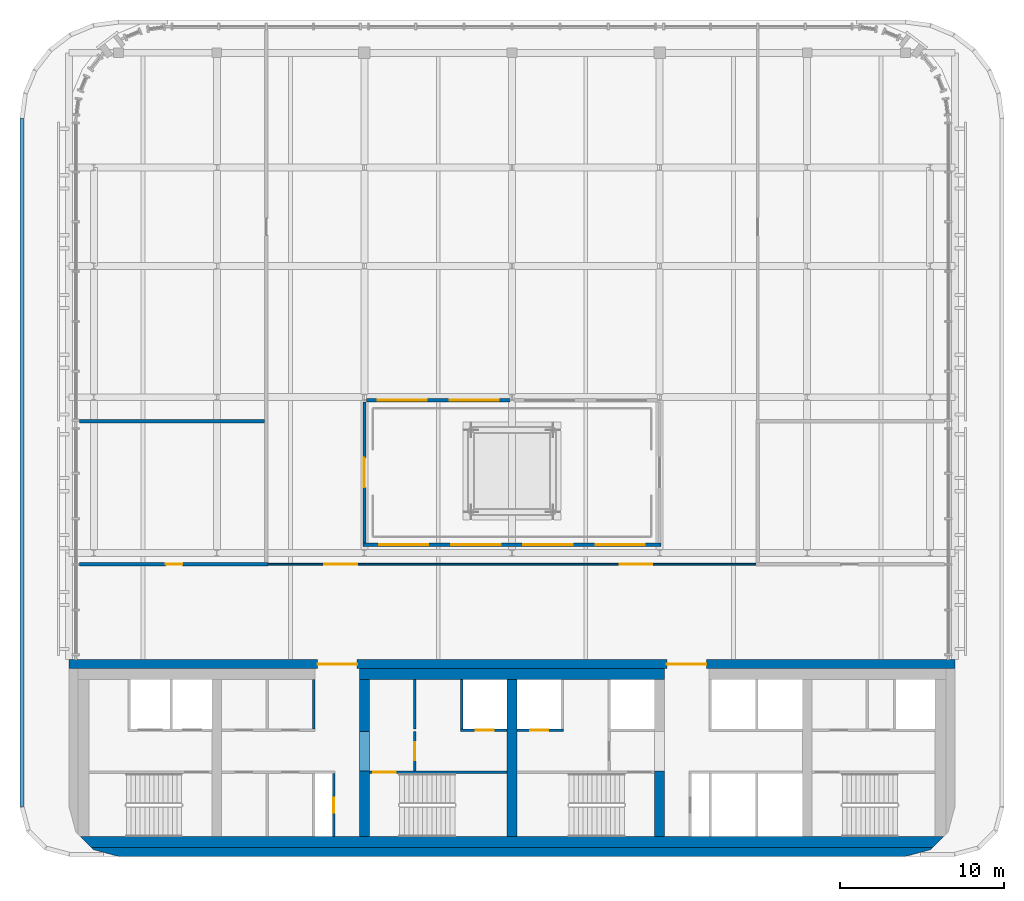
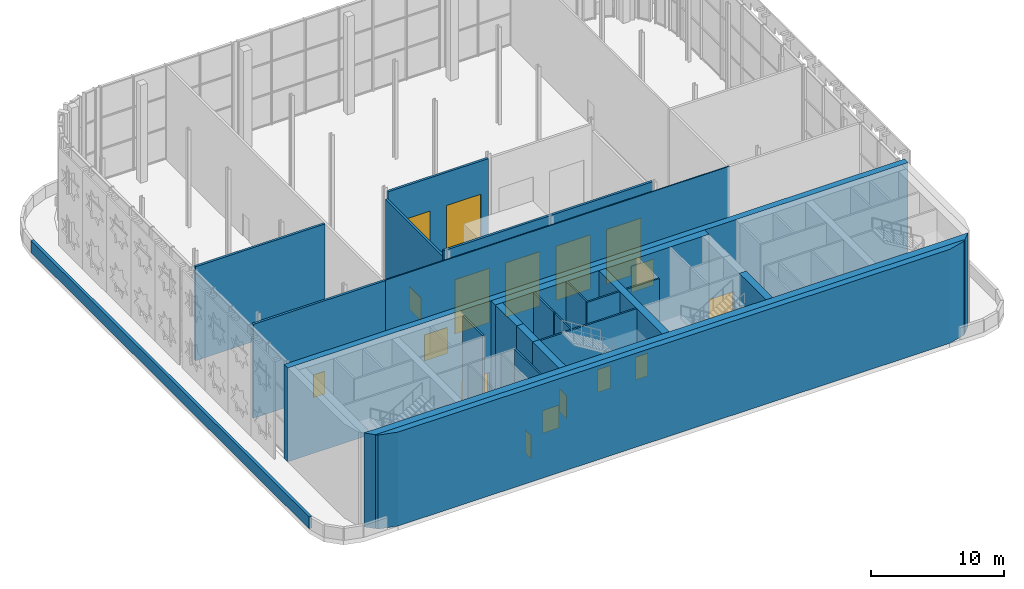
# One storey, part 18 of 26: 24 walls, 11 doors, 6 windows, 17 openings.
"""IFC4 building model written with IfcOpenShell, lengths in metres."""

from ifc_helpers import new_model, si_unit, direction, frame, frame_2d, origin, place, context, subcontext, project, spatial, polyline, rectangle, outline, extrude, material, layer, layer_set, type_object, element, fill, save


model = new_model("IFC4")

# Units and contexts
model_context = context("Model", 3, precision=1e-05, world=origin(), true_north=direction((0.0, 1.0)))
body_context = subcontext(model_context, "Body", "Model", "MODEL_VIEW")
ifc_project = project(units=[si_unit("LENGTHUNIT", "METRE"), si_unit("AREAUNIT", "SQUARE_METRE"), si_unit("VOLUMEUNIT", "CUBIC_METRE"), si_unit("PLANEANGLEUNIT", "RADIAN"), si_unit("MASSUNIT", "GRAM", prefix="KILO")], contexts=[model_context])

# Site, building, storey
site_placement = place(None, origin())
site = spatial("IfcSite", under=ifc_project, at=site_placement, CompositionType="ELEMENT")
building_placement = place(site_placement, origin())
building = spatial("IfcBuilding", under=site, at=building_placement, Name="Zellij Exchange Tower", CompositionType="ELEMENT")
storey_placement = place(building_placement, frame((0.0, 0.0, 296.5)))
storey = spatial("IfcBuildingStorey", under=building, at=storey_placement, Name="L70", CompositionType="ELEMENT", Elevation=296.5)

# Walls
ifc_material_1 = material(Name="Concrete C50/60", Category="concrete")
ifc_layer_1 = layer(ifc_material_1, 0.60009765625)
ifc_layer_set_1 = layer_set([ifc_layer_1], Name="Concrete C50/60")
wall_type_1 = type_object("IfcWallType", Name="CORE-CW 600 C50/60", PredefinedType="SHEAR", material=ifc_layer_set_1)
wall_1_placement = place(storey_placement, frame((-9.0, -12.800048828125, 0.0), z_axis=(0.0, 0.0, 1.0), x_axis=(0.0, 1.0, 0.0)))
element("IfcWall", 1, at=wall_1_placement, inside=storey, type_object=wall_type_1, Name="Core cross wall pier x -9 a L70", PredefinedType="SHEAR", context=body_context, shape_type="SweptSolid", body=[
    extrude(rectangle(XDim=4.0, YDim=0.60009765625, at=frame_2d((2.0, 0.0))), origin(), (0.0, 0.0, 1.0), 8.64990234375),
])
wall_2_placement = place(storey_placement, frame((-9.0, -6.375, 0.0), z_axis=(0.0, 0.0, 1.0), x_axis=(0.0, 1.0, 0.0)))
element("IfcWall", 2, at=wall_2_placement, inside=storey, type_object=wall_type_1, Name="Core cross wall pier x -9 b L70", PredefinedType="SHEAR", context=body_context, shape_type="SweptSolid", body=[
    extrude(rectangle(XDim=3.175048828125, YDim=0.60009765625, at=frame_2d((1.58740234375, 0.0))), origin(), (0.0, 0.0, 1.0), 8.64990234375),
])
wall_3_placement = place(storey_placement, frame((-9.0, -8.800048828125, 3.60009765625), z_axis=(0.0, 0.0, 1.0), x_axis=(0.0, 1.0, 0.0)))
element("IfcWall", 3, at=wall_3_placement, inside=storey, type_object=wall_type_1, Name="Core cross wall over opening x -9 L70", PredefinedType="SHEAR", context=body_context, shape_type="SweptSolid", body=[
    extrude(rectangle(XDim=2.425048828125, YDim=0.60009765625, at=frame_2d((1.21240234375, 0.0))), origin(), (0.0, 0.0, 1.0), 5.0498046875),
])
wall_4_placement = place(storey_placement, frame((0.0, -12.800048828125, 0.0), z_axis=(0.0, 0.0, 1.0), x_axis=(0.0, 1.0, 0.0)))
element("IfcWall", 4, at=wall_4_placement, inside=storey, type_object=wall_type_1, Name="Core cross wall x 0 L70", PredefinedType="SHEAR", context=body_context, shape_type="SweptSolid", body=[
    extrude(rectangle(XDim=9.60009765625, YDim=0.60009765625, at=frame_2d((4.800048828125, 0.0))), origin(), (0.0, 0.0, 1.0), 8.64990234375),
])
wall_5_placement = place(storey_placement, frame((9.0, -12.800048828125, 0.0), z_axis=(0.0, 0.0, 1.0), x_axis=(0.0, 1.0, 0.0)))
element("IfcWall", 5, at=wall_5_placement, inside=storey, type_object=wall_type_1, Name="Core cross wall pier x 9 a L70", PredefinedType="SHEAR", context=body_context, shape_type="SweptSolid", body=[
    extrude(rectangle(XDim=4.0, YDim=0.60009765625, at=frame_2d((2.0, 0.0))), origin(), (0.0, 0.0, 1.0), 8.64990234375),
])
ifc_material_2 = material(Name="Concrete C30/37", Category="concrete")
ifc_layer_2 = layer(ifc_material_2, 0.64990234375)
ifc_layer_set_2 = layer_set([ifc_layer_2], Name="Concrete C30/37")
wall_type_2 = type_object("IfcWallType", Name="CORE-LW 650 C30/37", PredefinedType="SHEAR", material=ifc_layer_set_2)
wall_6_placement = place(storey_placement, frame((-9.300048828125, -2.875, 0.0), z_axis=(0.0, 0.0, 1.0), x_axis=(1.0, 0.0, 0.0)))
element("IfcWall", 6, at=wall_6_placement, inside=storey, type_object=wall_type_2, Name="Core wall lining front.1 L70", PredefinedType="SHEAR", context=body_context, shape_type="SweptSolid", body=[
    extrude(rectangle(XDim=18.60009765625, YDim=0.64990234375, at=frame_2d((9.300048828125, 0.0))), origin(), (0.0, 0.0, 1.0), 8.64990234375),
])
wall_7_placement = place(storey_placement, origin())
element("IfcWall", 7, at=wall_7_placement, inside=storey, type_object=wall_type_2, Name="Core wall lining rear.0 L70", PredefinedType="SHEAR", context=body_context, shape_type="SweptSolid", body=[
    extrude(outline(polyline([(26.298095703125, -12.800048828125), (25.648193359375, -13.449951171875), (-25.648193359375, -13.449951171875), (-26.298095703125, -12.800048828125), (26.298095703125, -12.800048828125)])), origin(), (0.0, 0.0, 1.0), 8.64990234375),
])

# Wall, opening, door
ifc_material_3 = material(Name="Gypsum shaft wall system")
ifc_layer_3 = layer(ifc_material_3, 0.14990234375)
ifc_layer_set_3 = layer_set([ifc_layer_3], Name="Gypsum shaft wall system")
wall_type_3 = type_object("IfcWallType", Name="CORE-PW 150 Firefighting lobby wall", PredefinedType="PARTITIONING", material=ifc_layer_set_3)
wall_8_placement = place(storey_placement, frame((-5.925048828125, -8.800048828125, 0.0), z_axis=(0.0, 0.0, 1.0), x_axis=(0.0, 1.0, 0.0)))
wall_8 = element("IfcWall", 8, at=wall_8_placement, inside=storey, type_object=wall_type_3, Name="Firefighting lobby wall L70", PredefinedType="PARTITIONING", context=body_context, shape_type="SweptSolid", body=[
    extrude(rectangle(XDim=2.425048828125, YDim=0.14990234375, at=frame_2d((1.21240234375, 0.0))), origin(), (0.0, 0.0, 1.0), 8.64990234375),
])
opening_1_placement = place(wall_8_placement, frame((0.662109375, 0.0, 0.0)))
opening_1 = element("IfcOpeningElement", 9, at=opening_1_placement, cuts=wall_8, Name="Opening CA-37.11", PredefinedType="OPENING", context=body_context, shape_type="SweptSolid", body=[
    extrude(rectangle(XDim=1.10009765625, YDim=2.10009765625, at=frame_2d((0.550048828125, 1.050048828125))), frame((0.0, 0.0869140625, 0.0), z_axis=(0.0, -1.0, 0.0), x_axis=(1.0, 0.0, 0.0)), (0.0, 0.0, 1.0), 0.173828125),
])
ifc_material_4 = material(Name="Hollow metal fire door")
door_type_1 = type_object("IfcDoorType", Name="CORE-D F Firefighting lobby door 1100x2100 1 HR", OperationType="NOTDEFINED", PredefinedType="DOOR", material=ifc_material_4)
door_1_placement = place(opening_1_placement, origin())
door_1 = element("IfcDoor", 10, at=door_1_placement, inside=storey, type_object=door_type_1, Name="Firefighting lobby door CA-37.11", OperationType="SINGLE_SWING_LEFT", OverallHeight=2.10009765625, OverallWidth=1.10009765625, PredefinedType="DOOR", context=body_context, shape_type="SweptSolid", body=[
    extrude(rectangle(XDim=1.10009765625, YDim=2.10009765625, at=frame_2d((0.550048828125, 1.050048828125))), frame((0.0, 0.02490234375, 0.0), z_axis=(0.0, -1.0, 0.0), x_axis=(1.0, 0.0, 0.0)), (0.0, 0.0, 1.0), 0.050048828125),
])
fill(opening_1, door_1)

# Wall
ifc_layer_4 = layer(ifc_material_3, 0.14990234375)
ifc_layer_set_4 = layer_set([ifc_layer_4], Name="Gypsum shaft wall system")
wall_type_4 = type_object("IfcWallType", Name="CORE-PW 150 Lift shaft wall", PredefinedType="PARTITIONING", material=ifc_layer_set_4)
wall_9_placement = place(storey_placement, frame((-3.074951171875, -6.22509765625, 0.0), z_axis=(0.0, 0.0, 1.0), x_axis=(0.0, 1.0, 0.0)))
element("IfcWall", 11, at=wall_9_placement, inside=storey, type_object=wall_type_4, Name="Lift shaft wall L70", PredefinedType="PARTITIONING", context=body_context, shape_type="SweptSolid", body=[
    extrude(rectangle(XDim=3.025146484375, YDim=0.14990234375, at=frame_2d((1.5126953125, 0.0))), origin(), (0.0, 0.0, 1.0), 8.64990234375),
])

# Wall, opening, door
wall_10_placement = place(storey_placement, frame((-3.14990234375, -6.300048828125, 0.0), z_axis=(0.0, 0.0, 1.0), x_axis=(1.0, 0.0, 0.0)))
wall_10 = element("IfcWall", 12, at=wall_10_placement, inside=storey, type_object=wall_type_4, Name="Lift shaft wall L70", PredefinedType="PARTITIONING", context=body_context, shape_type="SweptSolid", body=[
    extrude(rectangle(XDim=2.849853515625, YDim=0.14990234375, at=frame_2d((1.4248046875, 0.0))), origin(), (0.0, 0.0, 1.0), 8.64990234375),
])
opening_2_placement = place(wall_10_placement, frame((0.949951171875, 0.0, 0.0)))
opening_2 = element("IfcOpeningElement", 13, at=opening_2_placement, cuts=wall_10, Name="Opening CA-37.12", PredefinedType="OPENING", context=body_context, shape_type="SweptSolid", body=[
    extrude(rectangle(XDim=1.10009765625, YDim=2.10009765625, at=frame_2d((0.550048828125, 1.050048828125))), frame((0.0, 0.0869140625, 0.0), z_axis=(0.0, -1.0, 0.0), x_axis=(1.0, 0.0, 0.0)), (0.0, 0.0, 1.0), 0.173828125),
])
door_type_2 = type_object("IfcDoorType", Name="CORE-D LD Lift landing door 1100x2100 1.5 HR", OperationType="NOTDEFINED", PredefinedType="DOOR", material=ifc_material_4)
door_2_placement = place(opening_2_placement, origin())
door_2 = element("IfcDoor", 14, at=door_2_placement, inside=storey, type_object=door_type_2, Name="Lift landing door CA-37.12", OperationType="SLIDING_TO_RIGHT", OverallHeight=2.10009765625, OverallWidth=1.10009765625, PredefinedType="DOOR", context=body_context, shape_type="SweptSolid", body=[
    extrude(rectangle(XDim=1.10009765625, YDim=2.10009765625, at=frame_2d((0.550048828125, 1.050048828125))), frame((0.0, 0.02490234375, 0.0), z_axis=(0.0, -1.0, 0.0), x_axis=(1.0, 0.0, 0.0)), (0.0, 0.0, 1.0), 0.050048828125),
])
fill(opening_2, door_2)

wall_11_placement = place(storey_placement, frame((0.300048828125, -6.300048828125, 0.0), z_axis=(0.0, 0.0, 1.0), x_axis=(1.0, 0.0, 0.0)))
wall_11 = element("IfcWall", 15, at=wall_11_placement, inside=storey, type_object=wall_type_4, Name="Lift shaft wall L70", PredefinedType="PARTITIONING", context=body_context, shape_type="SweptSolid", body=[
    extrude(rectangle(XDim=2.849853515625, YDim=0.14990234375, at=frame_2d((1.4248046875, 0.0))), origin(), (0.0, 0.0, 1.0), 8.64990234375),
])
opening_3_placement = place(wall_11_placement, frame((0.800048828125, 0.0, 0.0)))
opening_3 = element("IfcOpeningElement", 16, at=opening_3_placement, cuts=wall_11, Name="Opening CA-37.13", PredefinedType="OPENING", context=body_context, shape_type="SweptSolid", body=[
    extrude(rectangle(XDim=1.10009765625, YDim=2.10009765625, at=frame_2d((0.550048828125, 1.050048828125))), frame((0.0, 0.0869140625, 0.0), z_axis=(0.0, -1.0, 0.0), x_axis=(1.0, 0.0, 0.0)), (0.0, 0.0, 1.0), 0.173828125),
])
door_3_placement = place(opening_3_placement, origin())
door_3 = element("IfcDoor", 17, at=door_3_placement, inside=storey, type_object=door_type_2, Name="Lift landing door CA-37.13", OperationType="SLIDING_TO_LEFT", OverallHeight=2.10009765625, OverallWidth=1.10009765625, PredefinedType="DOOR", context=body_context, shape_type="SweptSolid", body=[
    extrude(rectangle(XDim=1.10009765625, YDim=2.10009765625, at=frame_2d((0.550048828125, 1.050048828125))), frame((0.0, 0.02490234375, 0.0), z_axis=(0.0, -1.0, 0.0), x_axis=(1.0, 0.0, 0.0)), (0.0, 0.0, 1.0), 0.050048828125),
])
fill(opening_3, door_3)

# Walls
ifc_layer_5 = layer(ifc_material_3, 0.14990234375)
ifc_layer_set_5 = layer_set([ifc_layer_5], Name="Gypsum shaft wall system")
wall_type_5 = type_object("IfcWallType", Name="CORE-PW 150 Plant room wall", PredefinedType="PARTITIONING", material=ifc_layer_set_5)
for number, where, z_axis, x_axis, name in (
    (18, (-12.074951171875, -6.22509765625, 0.0), (0.0, 0.0, 1.0), (0.0, 1.0, 0.0), "Plant room wall L70"),
    (19, (-5.925048828125, -6.22509765625, 0.0), (0.0, 0.0, 1.0), (0.0, 1.0, 0.0), "Plant room wall L70"),
):
    element("IfcWall", number, at=place(storey_placement, frame(where, z_axis=z_axis, x_axis=x_axis)), inside=storey, type_object=wall_type_5, Name=name, PredefinedType="PARTITIONING", context=body_context, shape_type="SweptSolid", body=[
        extrude(rectangle(XDim=3.025146484375, YDim=0.14990234375, at=frame_2d((1.5126953125, 0.0))), origin(), (0.0, 0.0, 1.0), 8.64990234375),
    ])

# Wall, opening, door
wall_12_placement = place(storey_placement, frame((-10.875, -12.800048828125, 0.0), z_axis=(0.0, 0.0, 1.0), x_axis=(0.0, 1.0, 0.0)))
wall_12 = element("IfcWall", 20, at=wall_12_placement, inside=storey, type_object=wall_type_5, Name="Plant room wall L70", PredefinedType="PARTITIONING", context=body_context, shape_type="SweptSolid", body=[
    extrude(rectangle(XDim=3.85009765625, YDim=0.14990234375, at=frame_2d((1.925048828125, 0.0))), origin(), (0.0, 0.0, 1.0), 8.64990234375),
])
opening_4_placement = place(wall_12_placement, frame((1.47509765625, 0.0, 0.0)))
opening_4 = element("IfcOpeningElement", 21, at=opening_4_placement, cuts=wall_12, Name="Opening CA-37.08", PredefinedType="OPENING", context=body_context, shape_type="SweptSolid", body=[
    extrude(rectangle(XDim=0.89990234375, YDim=2.10009765625, at=frame_2d((0.449951171875, 1.050048828125))), frame((0.0, 0.0869140625, 0.0), z_axis=(0.0, -1.0, 0.0), x_axis=(1.0, 0.0, 0.0)), (0.0, 0.0, 1.0), 0.173828125),
])
door_type_3 = type_object("IfcDoorType", Name="CORE-D RD Riser door 900x2100 1.5 HR", OperationType="NOTDEFINED", PredefinedType="DOOR", material=ifc_material_4)
door_4_placement = place(opening_4_placement, origin())
door_4 = element("IfcDoor", 22, at=door_4_placement, inside=storey, type_object=door_type_3, Name="Riser door CA-37.08", OperationType="SINGLE_SWING_RIGHT", OverallHeight=2.10009765625, OverallWidth=0.89990234375, PredefinedType="DOOR", context=body_context, shape_type="SweptSolid", body=[
    extrude(rectangle(XDim=0.89990234375, YDim=2.10009765625, at=frame_2d((0.449951171875, 1.050048828125))), frame((0.0, 0.02490234375, 0.0), z_axis=(0.0, -1.0, 0.0), x_axis=(1.0, 0.0, 0.0)), (0.0, 0.0, 1.0), 0.050048828125),
])
fill(opening_4, door_4)

# Wall, openings, doors
ifc_layer_6 = layer(ifc_material_1, 0.550048828125)
ifc_layer_set_6 = layer_set([ifc_layer_6], Name="Concrete C50/60")
wall_type_6 = type_object("IfcWallType", Name="CORE-SW 550 C50/60", PredefinedType="SHEAR", material=ifc_layer_set_6)
wall_13_placement = place(storey_placement, frame((-27.0, -2.27490234375, 0.0), z_axis=(0.0, 0.0, 1.0), x_axis=(1.0, 0.0, 0.0)))
wall_13 = element("IfcWall", 23, at=wall_13_placement, inside=storey, type_object=wall_type_6, Name="Core shear wall front L70", PredefinedType="SHEAR", context=body_context, shape_type="SweptSolid", body=[
    extrude(rectangle(XDim=54.0, YDim=0.550048828125, at=frame_2d((27.0, 0.0))), origin(), (0.0, 0.0, 1.0), 8.64990234375),
])
opening_5_placement = place(wall_13_placement, frame((15.14990234375, 0.0, 0.0)))
opening_5 = element("IfcOpeningElement", 24, at=opening_5_placement, cuts=wall_13, Name="Opening CA-37.09", PredefinedType="OPENING", context=body_context, shape_type="SweptSolid", body=[
    extrude(rectangle(XDim=2.39990234375, YDim=2.10009765625, at=frame_2d((1.199951171875, 1.050048828125))), frame((0.0, 0.287109375, 0.0), z_axis=(0.0, -1.0, 0.0), x_axis=(1.0, 0.0, 0.0)), (0.0, 0.0, 1.0), 0.573974609375),
])
opening_6_placement = place(wall_13_placement, frame((36.449951171875, 0.0, 0.0)))
opening_6 = element("IfcOpeningElement", 25, at=opening_6_placement, cuts=wall_13, Name="Opening CA-37.16", PredefinedType="OPENING", context=body_context, shape_type="SweptSolid", body=[
    extrude(rectangle(XDim=2.39990234375, YDim=2.10009765625, at=frame_2d((1.199951171875, 1.050048828125))), frame((0.0, 0.287109375, 0.0), z_axis=(0.0, -1.0, 0.0), x_axis=(1.0, 0.0, 0.0)), (0.0, 0.0, 1.0), 0.573974609375),
])
door_type_4 = type_object("IfcDoorType", Name="CORE-D CE Core entrance door 2400x2100 20 MIN", OperationType="NOTDEFINED", PredefinedType="DOOR", material=ifc_material_4)
door_5_placement = place(opening_5_placement, origin())
door_5 = element("IfcDoor", 26, at=door_5_placement, inside=storey, type_object=door_type_4, Name="Core entrance door CA-37.09", OperationType="DOUBLE_DOOR_SINGLE_SWING", OverallHeight=2.10009765625, OverallWidth=2.39990234375, PredefinedType="DOOR", context=body_context, shape_type="SweptSolid", body=[
    extrude(rectangle(XDim=2.39990234375, YDim=2.10009765625, at=frame_2d((1.199951171875, 1.050048828125))), frame((0.0, 0.02490234375, 0.0), z_axis=(0.0, -1.0, 0.0), x_axis=(1.0, 0.0, 0.0)), (0.0, 0.0, 1.0), 0.050048828125),
])
fill(opening_5, door_5)
door_6_placement = place(opening_6_placement, origin())
door_6 = element("IfcDoor", 27, at=door_6_placement, inside=storey, type_object=door_type_4, Name="Core entrance door CA-37.16", OperationType="DOUBLE_DOOR_SINGLE_SWING", OverallHeight=2.10009765625, OverallWidth=2.39990234375, PredefinedType="DOOR", context=body_context, shape_type="SweptSolid", body=[
    extrude(rectangle(XDim=2.39990234375, YDim=2.10009765625, at=frame_2d((1.199951171875, 1.050048828125))), frame((0.0, 0.02490234375, 0.0), z_axis=(0.0, -1.0, 0.0), x_axis=(1.0, 0.0, 0.0)), (0.0, 0.0, 1.0), 0.050048828125),
])
fill(opening_6, door_6)

# Wall
wall_14_placement = place(storey_placement, origin())
element("IfcWall", 28, at=wall_14_placement, inside=storey, type_object=wall_type_6, Name="Core shear wall rear L70", PredefinedType="SHEAR", context=body_context, shape_type="SweptSolid", body=[
    extrude(outline(polyline([(25.648193359375, -13.449951171875), (25.5, -13.59814453125), (24.0, -14.0), (-24.0, -14.0), (-25.5, -13.59814453125), (-25.648193359375, -13.449951171875), (25.648193359375, -13.449951171875)])), origin(), (0.0, 0.0, 1.0), 8.64990234375),
])

# Wall, opening, door
ifc_layer_7 = layer(ifc_material_1, 0.14990234375)
ifc_layer_set_7 = layer_set([ifc_layer_7], Name="Concrete C50/60")
wall_type_7 = type_object("IfcWallType", Name="CORE-SWS 150 C50/60", PredefinedType="SHEAR", material=ifc_layer_set_7)
wall_15_placement = place(storey_placement, frame((-8.699951171875, -8.875, 0.0), z_axis=(0.0, 0.0, 1.0), x_axis=(1.0, 0.0, 0.0)))
wall_15 = element("IfcWall", 29, at=wall_15_placement, inside=storey, type_object=wall_type_7, Name="Stair enclosure wall L70", PredefinedType="SHEAR", context=body_context, shape_type="SweptSolid", body=[
    extrude(rectangle(XDim=8.39990234375, YDim=0.14990234375, at=frame_2d((4.199951171875, 0.0))), origin(), (0.0, 0.0, 1.0), 8.64990234375),
])
opening_7_placement = place(wall_15_placement, frame((0.22509765625, 0.0, 0.0)))
opening_7 = element("IfcOpeningElement", 30, at=opening_7_placement, cuts=wall_15, Name="Opening CA-37.10", PredefinedType="OPENING", context=body_context, shape_type="SweptSolid", body=[
    extrude(rectangle(XDim=1.39990234375, YDim=2.10009765625, at=frame_2d((0.699951171875, 1.050048828125))), frame((0.0, 0.0869140625, 0.0), z_axis=(0.0, -1.0, 0.0), x_axis=(1.0, 0.0, 0.0)), (0.0, 0.0, 1.0), 0.173828125),
])
door_type_5 = type_object("IfcDoorType", Name="CORE-D SD Stair door 1400x2100 1.5 HR", OperationType="NOTDEFINED", PredefinedType="DOOR", material=ifc_material_4)
door_7_placement = place(opening_7_placement, origin())
door_7 = element("IfcDoor", 31, at=door_7_placement, inside=storey, type_object=door_type_5, Name="Stair door CA-37.10", OperationType="DOUBLE_DOOR_SINGLE_SWING", OverallHeight=2.10009765625, OverallWidth=1.39990234375, PredefinedType="DOOR", context=body_context, shape_type="SweptSolid", body=[
    extrude(rectangle(XDim=1.39990234375, YDim=2.10009765625, at=frame_2d((0.699951171875, 1.050048828125))), frame((0.0, 0.02490234375, 0.0), z_axis=(0.0, -1.0, 0.0), x_axis=(1.0, 0.0, 0.0)), (0.0, 0.0, 1.0), 0.050048828125),
])
fill(opening_7, door_7)

# Wall
ifc_material_5 = material(Name="Precast concrete C40/50", Category="concrete")
ifc_layer_8 = layer(ifc_material_5, 0.25)
ifc_layer_set_8 = layer_set([ifc_layer_8], Name="Precast concrete C40/50")
wall_type_8 = type_object("IfcWallType", Name="ENV-PR1 Parapet 250", PredefinedType="PARAPET", material=ifc_layer_set_8)
wall_16_placement = place(storey_placement, frame((-29.875, 30.983642578125, 0.0), z_axis=(0.0, 0.0, 1.0), x_axis=(0.0, -1.0, 0.0)))
element("IfcWall", 32, at=wall_16_placement, inside=storey, type_object=wall_type_8, Name="fac.par.L70.01.01.08", PredefinedType="PARAPET", context=body_context, shape_type="SweptSolid", body=[
    extrude(rectangle(XDim=41.95068359375, YDim=0.25, at=frame_2d((20.975341796875, 0.0))), origin(), (0.0, 0.0, 1.0), 1.10009765625),
])

# Wall, opening, door
ifc_material_6 = material(Name="Blockwork fire wall", Category="masonry")
ifc_layer_9 = layer(ifc_material_6, 0.199951171875)
ifc_layer_set_9 = layer_set([ifc_layer_9], Name="Blockwork fire wall")
wall_type_9 = type_object("IfcWallType", Name="FIT-BLOCKWORK-200-EI120", PredefinedType="PARTITIONING", material=ifc_layer_set_9)
wall_17_placement = place(storey_placement, frame((-26.3759765625, 3.81005859375, 0.0), z_axis=(0.0, 0.0, 1.0), x_axis=(1.0, 0.0, 0.0)))
wall_17 = element("IfcWall", 33, at=wall_17_placement, inside=storey, type_object=wall_type_9, Name="FIT-BLOCKWORK-200-EI120 001", PredefinedType="PARTITIONING", context=body_context, shape_type="SweptSolid", body=[
    extrude(rectangle(XDim=11.486083984375, YDim=0.199951171875, at=frame_2d((5.7431640625, 0.0))), origin(), (0.0, 0.0, 1.0), 8.64990234375),
])
opening_8_placement = place(wall_17_placement, frame((5.27587890625, 0.0, 0.0)))
opening_8 = element("IfcOpeningElement", 34, at=opening_8_placement, cuts=wall_17, Name="Opening DMP.01", PredefinedType="OPENING", context=body_context, shape_type="SweptSolid", body=[
    extrude(rectangle(XDim=1.0, YDim=2.10009765625, at=frame_2d((0.5, 1.050048828125))), frame((0.0, 0.11181640625, 0.0), z_axis=(0.0, -1.0, 0.0), x_axis=(1.0, 0.0, 0.0)), (0.0, 0.0, 1.0), 0.223876953125),
])
ifc_material_7 = material(Name="Steel fire door set", Category="steel")
door_type_6 = type_object("IfcDoorType", Name="FIT-D21-PLANT-1000X2100", OperationType="SINGLE_SWING_LEFT", PredefinedType="DOOR", material=ifc_material_7)
door_8_placement = place(opening_8_placement, origin())
door_8 = element("IfcDoor", 35, at=door_8_placement, inside=storey, type_object=door_type_6, Name="Door DMP.01", OperationType="SINGLE_SWING_LEFT", OverallHeight=2.10009765625, OverallWidth=1.0, PredefinedType="DOOR", context=body_context, shape_type="SweptSolid", body=[
    extrude(rectangle(XDim=1.0, YDim=2.10009765625, at=frame_2d((0.5, 1.050048828125))), frame((0.0, 0.02490234375, 0.0), z_axis=(0.0, -1.0, 0.0), x_axis=(1.0, 0.0, 0.0)), (0.0, 0.0, 1.0), 0.050048828125),
])
fill(opening_8, door_8)

# Wall, openings, windows
wall_18_placement = place(storey_placement, frame((-9.10009765625, 5.0, 0.0), z_axis=(0.0, 0.0, 1.0), x_axis=(1.0, 0.0, 0.0)))
wall_18 = element("IfcWall", 36, at=wall_18_placement, inside=storey, type_object=wall_type_9, Name="FIT-BLOCKWORK-200-EI120 006", PredefinedType="PARTITIONING", context=body_context, shape_type="SweptSolid", body=[
    extrude(rectangle(XDim=18.2001953125, YDim=0.199951171875, at=frame_2d((9.10009765625, 0.0))), origin(), (0.0, 0.0, 1.0), 8.64990234375),
])
opening_9_placement = place(wall_18_placement, frame((1.0, 0.0, 0.60009765625)))
opening_9 = element("IfcOpeningElement", 37, at=opening_9_placement, cuts=wall_18, Name="Opening DMP.09", PredefinedType="OPENING", context=body_context, shape_type="SweptSolid", body=[
    extrude(rectangle(XDim=3.0, YDim=5.0, at=frame_2d((1.5, 2.5))), frame((0.0, 0.11181640625, 0.0), z_axis=(0.0, -1.0, 0.0), x_axis=(1.0, 0.0, 0.0)), (0.0, 0.0, 1.0), 0.223876953125),
])
opening_10_placement = place(wall_18_placement, frame((5.39990234375, 0.0, 0.60009765625)))
opening_10 = element("IfcOpeningElement", 38, at=opening_10_placement, cuts=wall_18, Name="Opening DMP.10", PredefinedType="OPENING", context=body_context, shape_type="SweptSolid", body=[
    extrude(rectangle(XDim=3.0, YDim=5.0, at=frame_2d((1.5, 2.5))), frame((0.0, 0.11181640625, 0.0), z_axis=(0.0, -1.0, 0.0), x_axis=(1.0, 0.0, 0.0)), (0.0, 0.0, 1.0), 0.223876953125),
])
opening_11_placement = place(wall_18_placement, frame((9.800048828125, 0.0, 0.60009765625)))
opening_11 = element("IfcOpeningElement", 39, at=opening_11_placement, cuts=wall_18, Name="Opening DMP.11", PredefinedType="OPENING", context=body_context, shape_type="SweptSolid", body=[
    extrude(rectangle(XDim=3.0, YDim=5.0, at=frame_2d((1.5, 2.5))), frame((0.0, 0.11181640625, 0.0), z_axis=(0.0, -1.0, 0.0), x_axis=(1.0, 0.0, 0.0)), (0.0, 0.0, 1.0), 0.223876953125),
])
opening_12_placement = place(wall_18_placement, frame((14.199951171875, 0.0, 0.60009765625)))
opening_12 = element("IfcOpeningElement", 40, at=opening_12_placement, cuts=wall_18, Name="Opening DMP.12", PredefinedType="OPENING", context=body_context, shape_type="SweptSolid", body=[
    extrude(rectangle(XDim=3.0, YDim=5.0, at=frame_2d((1.5, 2.5))), frame((0.0, 0.11181640625, 0.0), z_axis=(0.0, -1.0, 0.0), x_axis=(1.0, 0.0, 0.0)), (0.0, 0.0, 1.0), 0.223876953125),
])
ifc_material_8 = material(Name="Fire-rated glazing in steel frame", Category="steel")
window_type = type_object("IfcWindowType", Name="FIT-GLAZED-PARTITION-WINDOW-3000X5000", PartitioningType="SINGLE_PANEL", PredefinedType="WINDOW", material=ifc_material_8)
window_1_placement = place(opening_9_placement, origin())
window_1 = element("IfcWindow", 41, at=window_1_placement, inside=storey, type_object=window_type, Name="Window DMP.09", OverallHeight=5.0, OverallWidth=3.0, PartitioningType="SINGLE_PANEL", PredefinedType="WINDOW", context=body_context, shape_type="SweptSolid", body=[
    extrude(rectangle(XDim=3.0, YDim=5.0, at=frame_2d((1.5, 2.5))), frame((0.0, 0.030029296875, 0.0), z_axis=(0.0, -1.0, 0.0), x_axis=(1.0, 0.0, 0.0)), (0.0, 0.0, 1.0), 0.06005859375),
])
fill(opening_9, window_1)
window_2_placement = place(opening_10_placement, origin())
window_2 = element("IfcWindow", 42, at=window_2_placement, inside=storey, type_object=window_type, Name="Window DMP.10", OverallHeight=5.0, OverallWidth=3.0, PartitioningType="SINGLE_PANEL", PredefinedType="WINDOW", context=body_context, shape_type="SweptSolid", body=[
    extrude(rectangle(XDim=3.0, YDim=5.0, at=frame_2d((1.5, 2.5))), frame((0.0, 0.030029296875, 0.0), z_axis=(0.0, -1.0, 0.0), x_axis=(1.0, 0.0, 0.0)), (0.0, 0.0, 1.0), 0.06005859375),
])
fill(opening_10, window_2)
window_3_placement = place(opening_11_placement, origin())
window_3 = element("IfcWindow", 43, at=window_3_placement, inside=storey, type_object=window_type, Name="Window DMP.11", OverallHeight=5.0, OverallWidth=3.0, PartitioningType="SINGLE_PANEL", PredefinedType="WINDOW", context=body_context, shape_type="SweptSolid", body=[
    extrude(rectangle(XDim=3.0, YDim=5.0, at=frame_2d((1.5, 2.5))), frame((0.0, 0.030029296875, 0.0), z_axis=(0.0, -1.0, 0.0), x_axis=(1.0, 0.0, 0.0)), (0.0, 0.0, 1.0), 0.06005859375),
])
fill(opening_11, window_3)
window_4_placement = place(opening_12_placement, origin())
window_4 = element("IfcWindow", 44, at=window_4_placement, inside=storey, type_object=window_type, Name="Window DMP.12", OverallHeight=5.0, OverallWidth=3.0, PartitioningType="SINGLE_PANEL", PredefinedType="WINDOW", context=body_context, shape_type="SweptSolid", body=[
    extrude(rectangle(XDim=3.0, YDim=5.0, at=frame_2d((1.5, 2.5))), frame((0.0, 0.030029296875, 0.0), z_axis=(0.0, -1.0, 0.0), x_axis=(1.0, 0.0, 0.0)), (0.0, 0.0, 1.0), 0.06005859375),
])
fill(opening_12, window_4)

# Wall, opening, door
wall_19_placement = place(storey_placement, frame((-9.0, 5.10009765625, 0.0), z_axis=(0.0, 0.0, 1.0), x_axis=(0.0, 1.0, 0.0)))
wall_19 = element("IfcWall", 45, at=wall_19_placement, inside=storey, type_object=wall_type_9, Name="FIT-BLOCKWORK-200-EI120 007", PredefinedType="PARTITIONING", context=body_context, shape_type="SweptSolid", body=[
    extrude(rectangle(XDim=8.619873046875, YDim=0.199951171875, at=frame_2d((4.31005859375, 0.0))), origin(), (0.0, 0.0, 1.0), 8.037841796875),
])
opening_13_placement = place(wall_19_placement, frame((3.39990234375, 0.0, 0.0)))
opening_13 = element("IfcOpeningElement", 46, at=opening_13_placement, cuts=wall_19, Name="Opening DMP.05", PredefinedType="OPENING", context=body_context, shape_type="SweptSolid", body=[
    extrude(rectangle(XDim=1.800048828125, YDim=2.10009765625, at=frame_2d((0.89990234375, 1.050048828125))), frame((0.0, 0.11181640625, 0.0), z_axis=(0.0, -1.0, 0.0), x_axis=(1.0, 0.0, 0.0)), (0.0, 0.0, 1.0), 0.223876953125),
])
door_type_7 = type_object("IfcDoorType", Name="FIT-D22-PLANT-DOUBLE-1800X2100", OperationType="DOUBLE_DOOR_SINGLE_SWING", PredefinedType="DOOR", material=ifc_material_7)
door_9_placement = place(opening_13_placement, origin())
door_9 = element("IfcDoor", 47, at=door_9_placement, inside=storey, type_object=door_type_7, Name="Door DMP.05", OperationType="DOUBLE_DOOR_SINGLE_SWING", OverallHeight=2.10009765625, OverallWidth=1.800048828125, PredefinedType="DOOR", context=body_context, shape_type="SweptSolid", body=[
    extrude(rectangle(XDim=1.800048828125, YDim=2.10009765625, at=frame_2d((0.89990234375, 1.050048828125))), frame((0.0, 0.02490234375, 0.0), z_axis=(0.0, -1.0, 0.0), x_axis=(1.0, 0.0, 0.0)), (0.0, 0.0, 1.0), 0.050048828125),
])
fill(opening_13, door_9)

# Wall
wall_20_placement = place(storey_placement, frame((-26.3759765625, 12.5400390625, 0.0), z_axis=(0.0, 0.0, 1.0), x_axis=(1.0, 0.0, 0.0)))
element("IfcWall", 48, at=wall_20_placement, inside=storey, type_object=wall_type_9, Name="FIT-BLOCKWORK-200-EI120 009", PredefinedType="PARTITIONING", context=body_context, shape_type="SweptSolid", body=[
    extrude(rectangle(XDim=11.285888671875, YDim=0.199951171875, at=frame_2d((5.64306640625, 0.0))), origin(), (0.0, 0.0, 1.0), 8.64990234375),
])

# Wall, openings, windows
wall_21_placement = place(storey_placement, frame((-8.873046875, 13.820068359375, 0.0), z_axis=(0.0, 0.0, 1.0), x_axis=(1.0, 0.0, 0.0)))
wall_21 = element("IfcWall", 49, at=wall_21_placement, inside=storey, type_object=wall_type_9, Name="FIT-BLOCKWORK-200-EI120 012", PredefinedType="PARTITIONING", context=body_context, shape_type="SweptSolid", body=[
    extrude(rectangle(XDim=8.74609375, YDim=0.199951171875, at=frame_2d((4.373046875, 0.0))), origin(), (0.0, 0.0, 1.0), 8.64990234375),
])
opening_14_placement = place(wall_21_placement, frame((0.673095703125, 0.0, 0.60009765625)))
opening_14 = element("IfcOpeningElement", 50, at=opening_14_placement, cuts=wall_21, Name="Opening DMP.13", PredefinedType="OPENING", context=body_context, shape_type="SweptSolid", body=[
    extrude(rectangle(XDim=3.0, YDim=5.0, at=frame_2d((1.5, 2.5))), frame((0.0, 0.11181640625, 0.0), z_axis=(0.0, -1.0, 0.0), x_axis=(1.0, 0.0, 0.0)), (0.0, 0.0, 1.0), 0.223876953125),
])
opening_15_placement = place(wall_21_placement, frame((5.072998046875, 0.0, 0.60009765625)))
opening_15 = element("IfcOpeningElement", 51, at=opening_15_placement, cuts=wall_21, Name="Opening DMP.14", PredefinedType="OPENING", context=body_context, shape_type="SweptSolid", body=[
    extrude(rectangle(XDim=3.0, YDim=5.0, at=frame_2d((1.5, 2.5))), frame((0.0, 0.11181640625, 0.0), z_axis=(0.0, -1.0, 0.0), x_axis=(1.0, 0.0, 0.0)), (0.0, 0.0, 1.0), 0.223876953125),
])
window_5_placement = place(opening_14_placement, origin())
window_5 = element("IfcWindow", 52, at=window_5_placement, inside=storey, type_object=window_type, Name="Window DMP.13", OverallHeight=5.0, OverallWidth=3.0, PartitioningType="SINGLE_PANEL", PredefinedType="WINDOW", context=body_context, shape_type="SweptSolid", body=[
    extrude(rectangle(XDim=3.0, YDim=5.0, at=frame_2d((1.5, 2.5))), frame((0.0, 0.030029296875, 0.0), z_axis=(0.0, -1.0, 0.0), x_axis=(1.0, 0.0, 0.0)), (0.0, 0.0, 1.0), 0.06005859375),
])
fill(opening_14, window_5)
window_6_placement = place(opening_15_placement, origin())
window_6 = element("IfcWindow", 53, at=window_6_placement, inside=storey, type_object=window_type, Name="Window DMP.14", OverallHeight=5.0, OverallWidth=3.0, PartitioningType="SINGLE_PANEL", PredefinedType="WINDOW", context=body_context, shape_type="SweptSolid", body=[
    extrude(rectangle(XDim=3.0, YDim=5.0, at=frame_2d((1.5, 2.5))), frame((0.0, 0.030029296875, 0.0), z_axis=(0.0, -1.0, 0.0), x_axis=(1.0, 0.0, 0.0)), (0.0, 0.0, 1.0), 0.06005859375),
])
fill(opening_15, window_6)

# Wall, openings, doors
ifc_material_9 = material(Name="Gypsum board partition on steel studs", Category="steel")
ifc_layer_10 = layer(ifc_material_9, 0.10009765625)
ifc_layer_set_10 = layer_set([ifc_layer_10], Name="Gypsum board partition on steel studs")
wall_type_10 = type_object("IfcWallType", Name="FIT-PARTITION-100", PredefinedType="PARTITIONING", material=ifc_layer_set_10)
wall_22_placement = place(storey_placement, frame((-15.090087890625, 3.81005859375, 0.0), z_axis=(0.0, 0.0, 1.0), x_axis=(1.0, 0.0, 0.0)))
wall_22 = element("IfcWall", 54, at=wall_22_placement, inside=storey, type_object=wall_type_10, Name="FIT-PARTITION-100 002", PredefinedType="PARTITIONING", context=body_context, shape_type="SweptSolid", body=[
    extrude(rectangle(XDim=30.18017578125, YDim=0.10009765625, at=frame_2d((15.090087890625, 0.0))), origin(), (0.0, 0.0, 1.0), 8.64990234375),
])
opening_16_placement = place(wall_22_placement, frame((3.64990234375, 0.0, 0.0)))
opening_16 = element("IfcOpeningElement", 55, at=opening_16_placement, cuts=wall_22, Name="Opening DMP.02", PredefinedType="OPENING", context=body_context, shape_type="SweptSolid", body=[
    extrude(rectangle(XDim=2.0, YDim=2.39990234375, at=frame_2d((1.0, 1.199951171875))), frame((0.0, 0.06201171875, 0.0), z_axis=(0.0, -1.0, 0.0), x_axis=(1.0, 0.0, 0.0)), (0.0, 0.0, 1.0), 0.1240234375),
])
opening_17_placement = place(wall_22_placement, frame((21.64990234375, 0.0, 0.0)))
opening_17 = element("IfcOpeningElement", 56, at=opening_17_placement, cuts=wall_22, Name="Opening DMP.03", PredefinedType="OPENING", context=body_context, shape_type="SweptSolid", body=[
    extrude(rectangle(XDim=2.0, YDim=2.39990234375, at=frame_2d((1.0, 1.199951171875))), frame((0.0, 0.06201171875, 0.0), z_axis=(0.0, -1.0, 0.0), x_axis=(1.0, 0.0, 0.0)), (0.0, 0.0, 1.0), 0.1240234375),
])
ifc_material_10 = material(Name="Glazed door set (glass)", Category="glass")
door_type_8 = type_object("IfcDoorType", Name="FIT-D9-GLASS-DOUBLE-2000X2400", OperationType="DOUBLE_DOOR_SINGLE_SWING", PredefinedType="DOOR", material=ifc_material_10)
door_10_placement = place(opening_16_placement, origin())
door_10 = element("IfcDoor", 57, at=door_10_placement, inside=storey, type_object=door_type_8, Name="Door DMP.02", OperationType="DOUBLE_DOOR_SINGLE_SWING", OverallHeight=2.39990234375, OverallWidth=2.0, PredefinedType="DOOR", context=body_context, shape_type="SweptSolid", body=[
    extrude(rectangle(XDim=2.0, YDim=2.39990234375, at=frame_2d((1.0, 1.199951171875))), frame((0.0, 0.02490234375, 0.0), z_axis=(0.0, -1.0, 0.0), x_axis=(1.0, 0.0, 0.0)), (0.0, 0.0, 1.0), 0.050048828125),
])
fill(opening_16, door_10)
door_11_placement = place(opening_17_placement, origin())
door_11 = element("IfcDoor", 58, at=door_11_placement, inside=storey, type_object=door_type_8, Name="Door DMP.03", OperationType="DOUBLE_DOOR_SINGLE_SWING", OverallHeight=2.39990234375, OverallWidth=2.0, PredefinedType="DOOR", context=body_context, shape_type="SweptSolid", body=[
    extrude(rectangle(XDim=2.0, YDim=2.39990234375, at=frame_2d((1.0, 1.199951171875))), frame((0.0, 0.02490234375, 0.0), z_axis=(0.0, -1.0, 0.0), x_axis=(1.0, 0.0, 0.0)), (0.0, 0.0, 1.0), 0.050048828125),
])
fill(opening_17, door_11)

save(model, "model.ifc")
